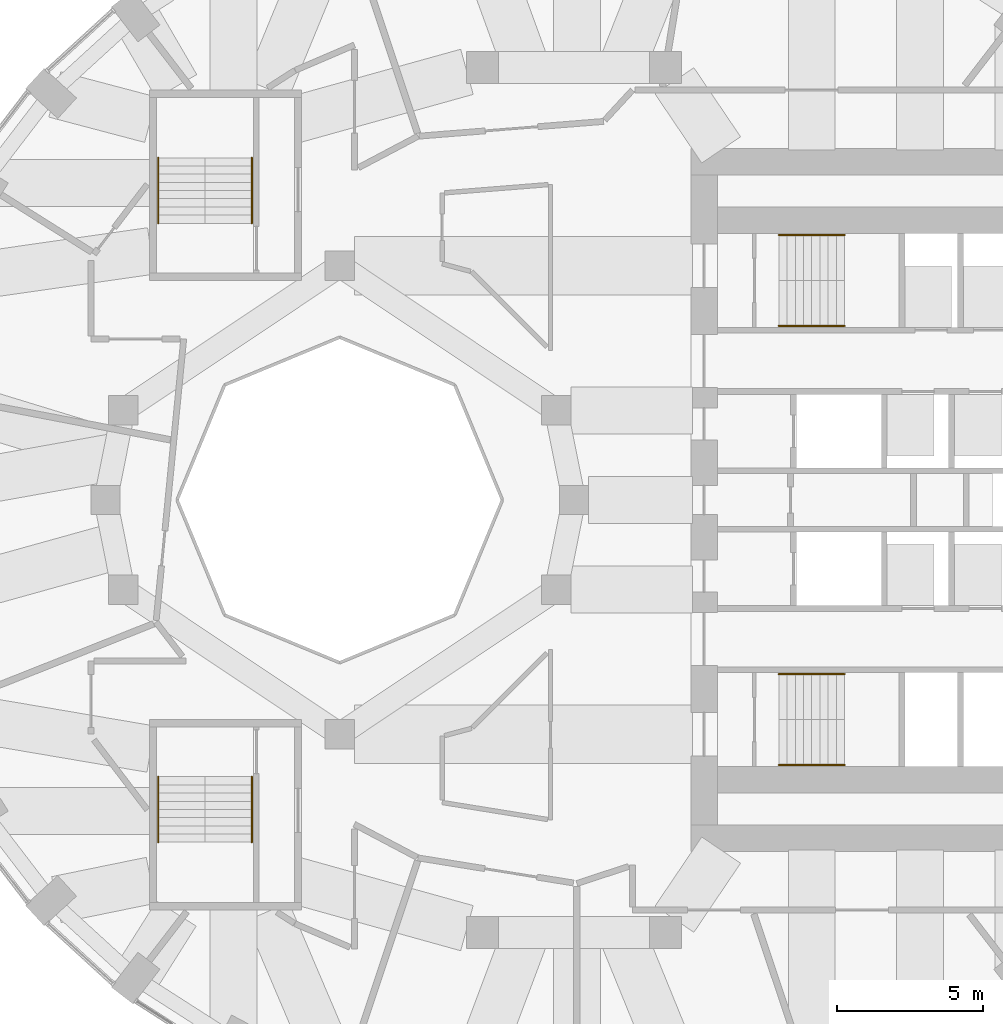
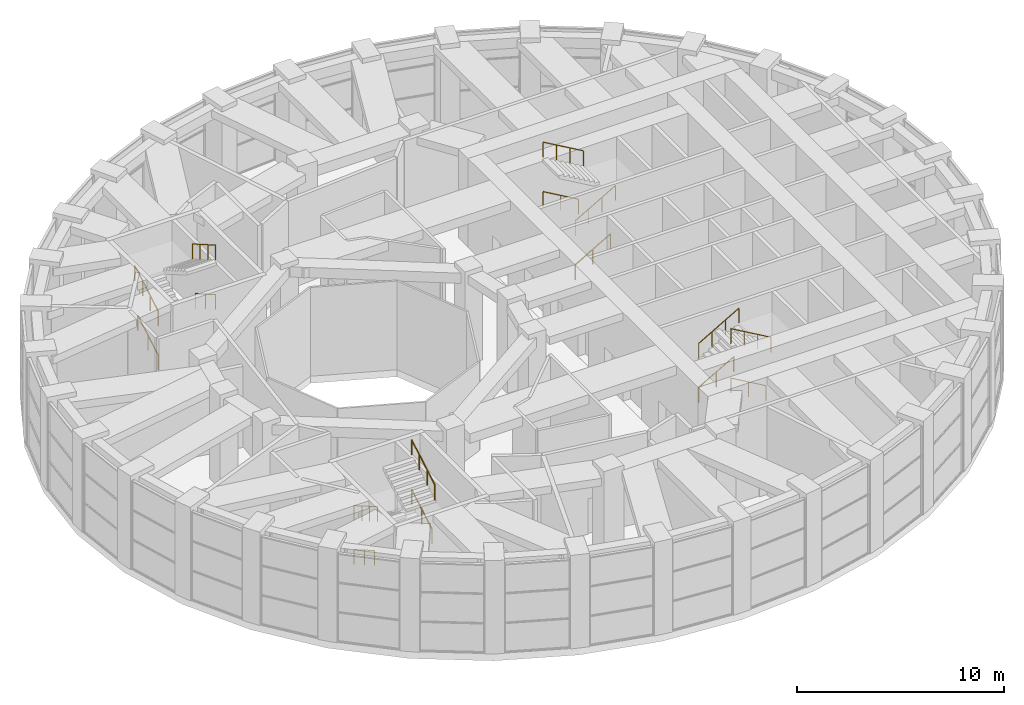
# One storey, part 16 of 17: 16 railings.
"""IFC4 building model written with IfcOpenShell, lengths in metres."""

from ifc_helpers import new_model, si_unit, direction, frame, origin, origin_2d, place, context, subcontext, project, spatial, circle, extrude, material, type_object, element, save


model = new_model("IFC4")

# Units and contexts
model_context = context("Model", 3, precision=1e-05, world=origin(), true_north=direction((0.0, 1.0)))
body_context = subcontext(model_context, "Body", "Model", "MODEL_VIEW")
ifc_project = project(units=[si_unit("LENGTHUNIT", "METRE"), si_unit("AREAUNIT", "SQUARE_METRE"), si_unit("VOLUMEUNIT", "CUBIC_METRE"), si_unit("PLANEANGLEUNIT", "RADIAN"), si_unit("MASSUNIT", "GRAM", prefix="KILO")], contexts=[model_context])

# Site, building, storey
site_placement = place(None, origin())
site = spatial("IfcSite", under=ifc_project, at=site_placement, CompositionType="ELEMENT")
building_placement = place(site_placement, origin())
building = spatial("IfcBuilding", under=site, at=building_placement, Name="Taillehof Tower", CompositionType="ELEMENT")
storey_placement = place(building_placement, frame((0.0, 0.0, 139.60009765625)))
storey = spatial("IfcBuildingStorey", under=building, at=storey_placement, Name="L39", CompositionType="ELEMENT", Elevation=139.60009765625)

# Railings
ifc_material = material(Name="Stainless steel", Category="steel")
railing_type = type_object("IfcRailingType", Name="Stair handrail 900", PredefinedType="HANDRAIL", material=ifc_material)
railing_1_placement = place(storey_placement, frame((7.0, 5.949951171875, 0.16162109375)))
element("IfcRailing", 1, at=railing_1_placement, inside=storey, type_object=railing_type, Name="Stair S1 handrail", PredefinedType="HANDRAIL", context=body_context, shape_type="SweptSolid", body=[
    extrude(circle(Radius=0.02392578125, at=origin_2d()), frame((0.0, 0.0, 0.8759765625), z_axis=(0.8658837611, 0.0, 0.500245252115), x_axis=(0.0, 1.0, 0.0)), (0.0, 0.0, 1.0), 2.263427734375),
    extrude(circle(Radius=0.02099609375, at=origin_2d()), origin(), (0.0, 0.0, 1.0), 0.851806640625),
    extrude(circle(Radius=0.02099609375, at=origin_2d()), frame((0.97998046875, 0.0, 0.566162109375)), (0.0, 0.0, 1.0), 0.851806640625),
    extrude(circle(Radius=0.02099609375, at=origin_2d()), frame((1.9599609375, 0.0, 1.13232421875)), (0.0, 0.0, 1.0), 0.851806640625),
])
railing_2_placement = place(storey_placement, frame((8.9599609375, 9.050048828125, 1.455810546875)))
element("IfcRailing", 2, at=railing_2_placement, inside=storey, type_object=railing_type, Name="Stair S1 handrail", PredefinedType="HANDRAIL", context=body_context, shape_type="SweptSolid", body=[
    extrude(circle(Radius=0.02392578125, at=origin_2d()), frame((0.0, 0.0, 0.8759765625), z_axis=(-0.8658837611, 0.0, 0.500245252115), x_axis=(0.0, -1.0, 0.0)), (0.0, 0.0, 1.0), 2.263427734375),
    extrude(circle(Radius=0.02099609375, at=origin_2d()), origin(), (0.0, 0.0, 1.0), 0.851806640625),
    extrude(circle(Radius=0.02099609375, at=origin_2d()), frame((-0.97998046875, 0.0, 0.566162109375)), (0.0, 0.0, 1.0), 0.851806640625),
    extrude(circle(Radius=0.02099609375, at=origin_2d()), frame((-1.9599609375, 0.0, 1.13232421875)), (0.0, 0.0, 1.0), 0.851806640625),
])
railing_3_placement = place(storey_placement, frame((7.0, 5.949951171875, 2.75)))
element("IfcRailing", 3, at=railing_3_placement, inside=storey, type_object=railing_type, Name="Stair S1 handrail", PredefinedType="HANDRAIL", context=body_context, shape_type="SweptSolid", body=[
    extrude(circle(Radius=0.02392578125, at=origin_2d()), frame((0.0, 0.0, 0.8759765625), z_axis=(0.865910493709, 0.0, 0.500198977292), x_axis=(0.0, 1.0, 0.0)), (0.0, 0.0, 1.0), 2.5869140625),
    extrude(circle(Radius=0.02099609375, at=origin_2d()), origin(), (0.0, 0.0, 1.0), 0.851806640625),
    extrude(circle(Radius=0.02099609375, at=origin_2d()), frame((0.74658203125, 0.0, 0.431396484375)), (0.0, 0.0, 1.0), 0.851806640625),
    extrude(circle(Radius=0.02099609375, at=origin_2d()), frame((1.493408203125, 0.0, 0.862548828125)), (0.0, 0.0, 1.0), 0.851806640625),
    extrude(circle(Radius=0.02099609375, at=origin_2d()), frame((2.239990234375, 0.0, 1.2939453125)), (0.0, 0.0, 1.0), 0.851806640625),
])
railing_4_placement = place(storey_placement, frame((9.239990234375, 9.050048828125, 4.205810546875)))
element("IfcRailing", 4, at=railing_4_placement, inside=storey, type_object=railing_type, Name="Stair S1 handrail", PredefinedType="HANDRAIL", context=body_context, shape_type="SweptSolid", body=[
    extrude(circle(Radius=0.02392578125, at=origin_2d()), frame((0.0, 0.0, 0.8759765625), z_axis=(-0.865869615398, 0.0, 0.500269736373), x_axis=(0.0, -1.0, 0.0)), (0.0, 0.0, 1.0), 2.5869140625),
    extrude(circle(Radius=0.02099609375, at=origin_2d()), origin(), (0.0, 0.0, 1.0), 0.851806640625),
    extrude(circle(Radius=0.02099609375, at=origin_2d()), frame((-0.74658203125, 0.0, 0.431396484375)), (0.0, 0.0, 1.0), 0.851806640625),
    extrude(circle(Radius=0.02099609375, at=origin_2d()), frame((-1.493408203125, 0.0, 0.86279296875)), (0.0, 0.0, 1.0), 0.851806640625),
    extrude(circle(Radius=0.02099609375, at=origin_2d()), frame((-2.239990234375, 0.0, 1.294189453125)), (0.0, 0.0, 1.0), 0.851806640625),
])
railing_5_placement = place(storey_placement, frame((7.0, -5.949951171875, 0.16162109375)))
element("IfcRailing", 5, at=railing_5_placement, inside=storey, type_object=railing_type, Name="Stair S2 handrail", PredefinedType="HANDRAIL", context=body_context, shape_type="SweptSolid", body=[
    extrude(circle(Radius=0.02392578125, at=origin_2d()), frame((0.0, 0.0, 0.8759765625), z_axis=(0.8658837611, 0.0, 0.500245252115), x_axis=(0.0, 1.0, 0.0)), (0.0, 0.0, 1.0), 2.263427734375),
    extrude(circle(Radius=0.02099609375, at=origin_2d()), origin(), (0.0, 0.0, 1.0), 0.851806640625),
    extrude(circle(Radius=0.02099609375, at=origin_2d()), frame((0.97998046875, 0.0, 0.566162109375)), (0.0, 0.0, 1.0), 0.851806640625),
    extrude(circle(Radius=0.02099609375, at=origin_2d()), frame((1.9599609375, 0.0, 1.13232421875)), (0.0, 0.0, 1.0), 0.851806640625),
])
railing_6_placement = place(storey_placement, frame((8.9599609375, -9.050048828125, 1.455810546875)))
element("IfcRailing", 6, at=railing_6_placement, inside=storey, type_object=railing_type, Name="Stair S2 handrail", PredefinedType="HANDRAIL", context=body_context, shape_type="SweptSolid", body=[
    extrude(circle(Radius=0.02392578125, at=origin_2d()), frame((0.0, 0.0, 0.8759765625), z_axis=(-0.8658837611, 0.0, 0.500245252115), x_axis=(0.0, -1.0, 0.0)), (0.0, 0.0, 1.0), 2.263427734375),
    extrude(circle(Radius=0.02099609375, at=origin_2d()), origin(), (0.0, 0.0, 1.0), 0.851806640625),
    extrude(circle(Radius=0.02099609375, at=origin_2d()), frame((-0.97998046875, 0.0, 0.566162109375)), (0.0, 0.0, 1.0), 0.851806640625),
    extrude(circle(Radius=0.02099609375, at=origin_2d()), frame((-1.9599609375, 0.0, 1.13232421875)), (0.0, 0.0, 1.0), 0.851806640625),
])
railing_7_placement = place(storey_placement, frame((7.0, -5.949951171875, 2.75)))
element("IfcRailing", 7, at=railing_7_placement, inside=storey, type_object=railing_type, Name="Stair S2 handrail", PredefinedType="HANDRAIL", context=body_context, shape_type="SweptSolid", body=[
    extrude(circle(Radius=0.02392578125, at=origin_2d()), frame((0.0, 0.0, 0.8759765625), z_axis=(0.865910493709, 0.0, 0.500198977292), x_axis=(0.0, 1.0, 0.0)), (0.0, 0.0, 1.0), 2.5869140625),
    extrude(circle(Radius=0.02099609375, at=origin_2d()), origin(), (0.0, 0.0, 1.0), 0.851806640625),
    extrude(circle(Radius=0.02099609375, at=origin_2d()), frame((0.74658203125, 0.0, 0.431396484375)), (0.0, 0.0, 1.0), 0.851806640625),
    extrude(circle(Radius=0.02099609375, at=origin_2d()), frame((1.493408203125, 0.0, 0.862548828125)), (0.0, 0.0, 1.0), 0.851806640625),
    extrude(circle(Radius=0.02099609375, at=origin_2d()), frame((2.239990234375, 0.0, 1.2939453125)), (0.0, 0.0, 1.0), 0.851806640625),
])
railing_8_placement = place(storey_placement, frame((9.239990234375, -9.050048828125, 4.205810546875)))
element("IfcRailing", 8, at=railing_8_placement, inside=storey, type_object=railing_type, Name="Stair S2 handrail", PredefinedType="HANDRAIL", context=body_context, shape_type="SweptSolid", body=[
    extrude(circle(Radius=0.02392578125, at=origin_2d()), frame((0.0, 0.0, 0.8759765625), z_axis=(-0.865869615398, 0.0, 0.500269736373), x_axis=(0.0, -1.0, 0.0)), (0.0, 0.0, 1.0), 2.5869140625),
    extrude(circle(Radius=0.02099609375, at=origin_2d()), origin(), (0.0, 0.0, 1.0), 0.851806640625),
    extrude(circle(Radius=0.02099609375, at=origin_2d()), frame((-0.74658203125, 0.0, 0.431396484375)), (0.0, 0.0, 1.0), 0.851806640625),
    extrude(circle(Radius=0.02099609375, at=origin_2d()), frame((-1.493408203125, 0.0, 0.86279296875)), (0.0, 0.0, 1.0), 0.851806640625),
    extrude(circle(Radius=0.02099609375, at=origin_2d()), frame((-2.239990234375, 0.0, 1.294189453125)), (0.0, 0.0, 1.0), 0.851806640625),
])
railing_9_placement = place(storey_placement, frame((-14.199951171875, 9.449951171875, 0.16162109375)))
element("IfcRailing", 9, at=railing_9_placement, inside=storey, type_object=railing_type, Name="Stair S3 handrail", PredefinedType="HANDRAIL", context=body_context, shape_type="SweptSolid", body=[
    extrude(circle(Radius=0.02392578125, at=origin_2d()), frame((0.0, 0.0, 0.8759765625), z_axis=(0.0, 0.8658837611, 0.500245252115), x_axis=(-1.0, 0.0, 0.0)), (0.0, 0.0, 1.0), 2.263427734375),
    extrude(circle(Radius=0.02099609375, at=origin_2d()), origin(), (0.0, 0.0, 1.0), 0.851806640625),
    extrude(circle(Radius=0.02099609375, at=origin_2d()), frame((0.0, 0.97998046875, 0.566162109375)), (0.0, 0.0, 1.0), 0.851806640625),
    extrude(circle(Radius=0.02099609375, at=origin_2d()), frame((0.0, 1.9599609375, 1.13232421875)), (0.0, 0.0, 1.0), 0.851806640625),
])
railing_10_placement = place(storey_placement, frame((-11.0, 11.409912109375, 1.455810546875)))
element("IfcRailing", 10, at=railing_10_placement, inside=storey, type_object=railing_type, Name="Stair S3 handrail", PredefinedType="HANDRAIL", context=body_context, shape_type="SweptSolid", body=[
    extrude(circle(Radius=0.02392578125, at=origin_2d()), frame((0.0, 0.0, 0.8759765625), z_axis=(0.0, -0.8658837611, 0.500245252115), x_axis=(1.0, 0.0, 0.0)), (0.0, 0.0, 1.0), 2.263427734375),
    extrude(circle(Radius=0.02099609375, at=origin_2d()), origin(), (0.0, 0.0, 1.0), 0.851806640625),
    extrude(circle(Radius=0.02099609375, at=origin_2d()), frame((0.0, -0.97998046875, 0.566162109375)), (0.0, 0.0, 1.0), 0.851806640625),
    extrude(circle(Radius=0.02099609375, at=origin_2d()), frame((0.0, -1.9599609375, 1.13232421875)), (0.0, 0.0, 1.0), 0.851806640625),
])
railing_11_placement = place(storey_placement, frame((-14.199951171875, 9.449951171875, 2.75)))
element("IfcRailing", 11, at=railing_11_placement, inside=storey, type_object=railing_type, Name="Stair S3 handrail", PredefinedType="HANDRAIL", context=body_context, shape_type="SweptSolid", body=[
    extrude(circle(Radius=0.02392578125, at=origin_2d()), frame((0.0, 0.0, 0.8759765625), z_axis=(0.0, 0.865910493709, 0.500198977292), x_axis=(-1.0, 0.0, 0.0)), (0.0, 0.0, 1.0), 2.5869140625),
    extrude(circle(Radius=0.02099609375, at=origin_2d()), origin(), (0.0, 0.0, 1.0), 0.851806640625),
    extrude(circle(Radius=0.02099609375, at=origin_2d()), frame((0.0, 0.74658203125, 0.431396484375)), (0.0, 0.0, 1.0), 0.851806640625),
    extrude(circle(Radius=0.02099609375, at=origin_2d()), frame((0.0, 1.493408203125, 0.862548828125)), (0.0, 0.0, 1.0), 0.851806640625),
    extrude(circle(Radius=0.02099609375, at=origin_2d()), frame((0.0, 2.239990234375, 1.2939453125)), (0.0, 0.0, 1.0), 0.851806640625),
])
railing_12_placement = place(storey_placement, frame((-11.0, 11.68994140625, 4.205810546875)))
element("IfcRailing", 12, at=railing_12_placement, inside=storey, type_object=railing_type, Name="Stair S3 handrail", PredefinedType="HANDRAIL", context=body_context, shape_type="SweptSolid", body=[
    extrude(circle(Radius=0.02392578125, at=origin_2d()), frame((0.0, 0.0, 0.8759765625), z_axis=(0.0, -0.865869615398, 0.500269736373), x_axis=(1.0, 0.0, 0.0)), (0.0, 0.0, 1.0), 2.5869140625),
    extrude(circle(Radius=0.02099609375, at=origin_2d()), origin(), (0.0, 0.0, 1.0), 0.851806640625),
    extrude(circle(Radius=0.02099609375, at=origin_2d()), frame((0.0, -0.74658203125, 0.431396484375)), (0.0, 0.0, 1.0), 0.851806640625),
    extrude(circle(Radius=0.02099609375, at=origin_2d()), frame((0.0, -1.493408203125, 0.86279296875)), (0.0, 0.0, 1.0), 0.851806640625),
    extrude(circle(Radius=0.02099609375, at=origin_2d()), frame((0.0, -2.239990234375, 1.294189453125)), (0.0, 0.0, 1.0), 0.851806640625),
])
railing_13_placement = place(storey_placement, frame((-14.199951171875, -9.449951171875, 0.16162109375)))
element("IfcRailing", 13, at=railing_13_placement, inside=storey, type_object=railing_type, Name="Stair S4 handrail", PredefinedType="HANDRAIL", context=body_context, shape_type="SweptSolid", body=[
    extrude(circle(Radius=0.02392578125, at=origin_2d()), frame((0.0, 0.0, 0.8759765625), z_axis=(0.0, -0.8658837611, 0.500245252115), x_axis=(1.0, 0.0, 0.0)), (0.0, 0.0, 1.0), 2.263427734375),
    extrude(circle(Radius=0.02099609375, at=origin_2d()), origin(), (0.0, 0.0, 1.0), 0.851806640625),
    extrude(circle(Radius=0.02099609375, at=origin_2d()), frame((0.0, -0.97998046875, 0.566162109375)), (0.0, 0.0, 1.0), 0.851806640625),
    extrude(circle(Radius=0.02099609375, at=origin_2d()), frame((0.0, -1.9599609375, 1.13232421875)), (0.0, 0.0, 1.0), 0.851806640625),
])
railing_14_placement = place(storey_placement, frame((-11.0, -11.409912109375, 1.455810546875)))
element("IfcRailing", 14, at=railing_14_placement, inside=storey, type_object=railing_type, Name="Stair S4 handrail", PredefinedType="HANDRAIL", context=body_context, shape_type="SweptSolid", body=[
    extrude(circle(Radius=0.02392578125, at=origin_2d()), frame((0.0, 0.0, 0.8759765625), z_axis=(0.0, 0.8658837611, 0.500245252115), x_axis=(-1.0, 0.0, 0.0)), (0.0, 0.0, 1.0), 2.263427734375),
    extrude(circle(Radius=0.02099609375, at=origin_2d()), origin(), (0.0, 0.0, 1.0), 0.851806640625),
    extrude(circle(Radius=0.02099609375, at=origin_2d()), frame((0.0, 0.97998046875, 0.566162109375)), (0.0, 0.0, 1.0), 0.851806640625),
    extrude(circle(Radius=0.02099609375, at=origin_2d()), frame((0.0, 1.9599609375, 1.13232421875)), (0.0, 0.0, 1.0), 0.851806640625),
])
railing_15_placement = place(storey_placement, frame((-14.199951171875, -9.449951171875, 2.75)))
element("IfcRailing", 15, at=railing_15_placement, inside=storey, type_object=railing_type, Name="Stair S4 handrail", PredefinedType="HANDRAIL", context=body_context, shape_type="SweptSolid", body=[
    extrude(circle(Radius=0.02392578125, at=origin_2d()), frame((0.0, 0.0, 0.8759765625), z_axis=(0.0, -0.865910493709, 0.500198977292), x_axis=(1.0, 0.0, 0.0)), (0.0, 0.0, 1.0), 2.5869140625),
    extrude(circle(Radius=0.02099609375, at=origin_2d()), origin(), (0.0, 0.0, 1.0), 0.851806640625),
    extrude(circle(Radius=0.02099609375, at=origin_2d()), frame((0.0, -0.74658203125, 0.431396484375)), (0.0, 0.0, 1.0), 0.851806640625),
    extrude(circle(Radius=0.02099609375, at=origin_2d()), frame((0.0, -1.493408203125, 0.862548828125)), (0.0, 0.0, 1.0), 0.851806640625),
    extrude(circle(Radius=0.02099609375, at=origin_2d()), frame((0.0, -2.239990234375, 1.2939453125)), (0.0, 0.0, 1.0), 0.851806640625),
])
railing_16_placement = place(storey_placement, frame((-11.0, -11.68994140625, 4.205810546875)))
element("IfcRailing", 16, at=railing_16_placement, inside=storey, type_object=railing_type, Name="Stair S4 handrail", PredefinedType="HANDRAIL", context=body_context, shape_type="SweptSolid", body=[
    extrude(circle(Radius=0.02392578125, at=origin_2d()), frame((0.0, 0.0, 0.8759765625), z_axis=(0.0, 0.865869615398, 0.500269736373), x_axis=(-1.0, 0.0, 0.0)), (0.0, 0.0, 1.0), 2.5869140625),
    extrude(circle(Radius=0.02099609375, at=origin_2d()), origin(), (0.0, 0.0, 1.0), 0.851806640625),
    extrude(circle(Radius=0.02099609375, at=origin_2d()), frame((0.0, 0.74658203125, 0.431396484375)), (0.0, 0.0, 1.0), 0.851806640625),
    extrude(circle(Radius=0.02099609375, at=origin_2d()), frame((0.0, 1.493408203125, 0.86279296875)), (0.0, 0.0, 1.0), 0.851806640625),
    extrude(circle(Radius=0.02099609375, at=origin_2d()), frame((0.0, 2.239990234375, 1.294189453125)), (0.0, 0.0, 1.0), 0.851806640625),
])

save(model, "model.ifc")
